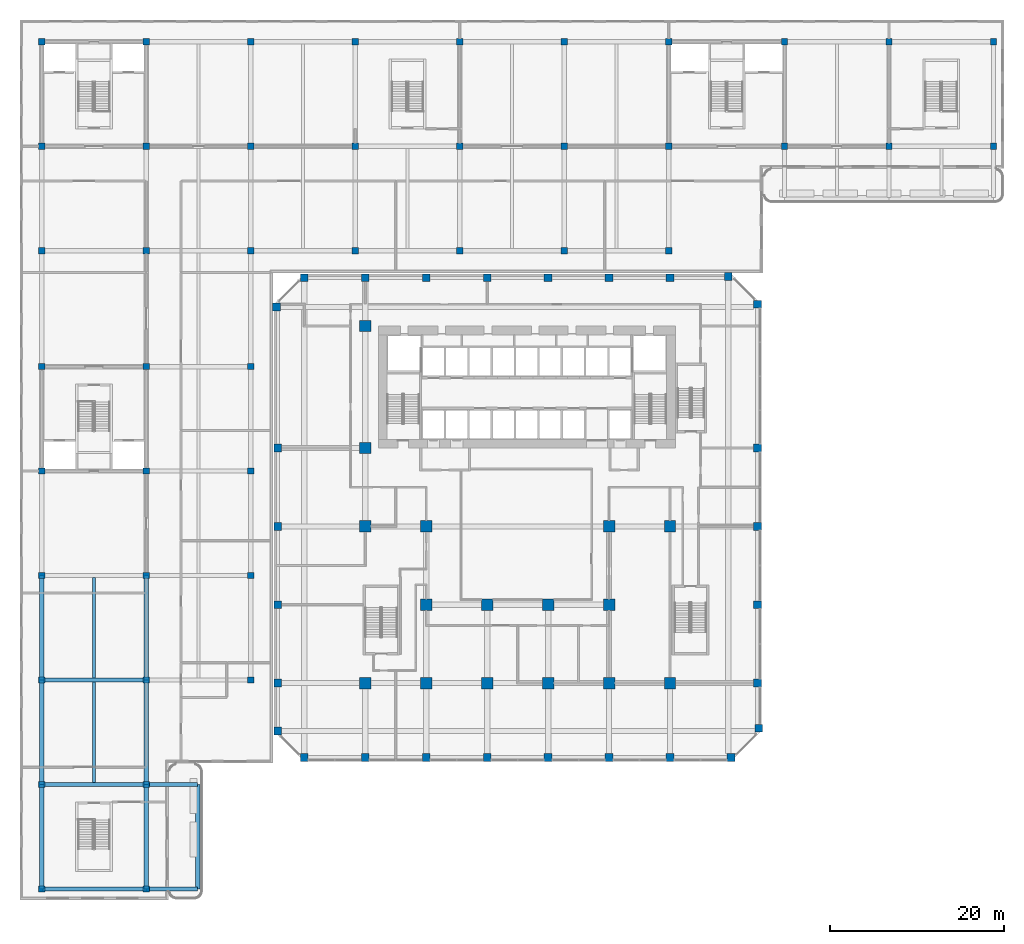
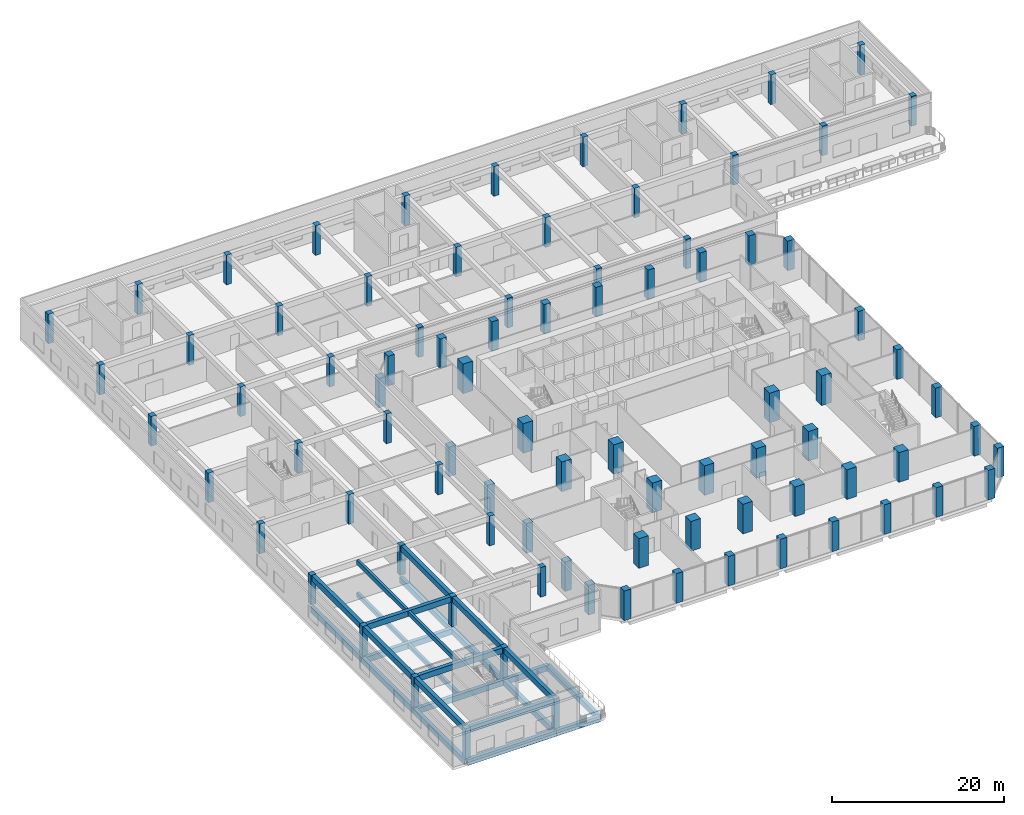
# One storey, part 1 of 35: 87 columns, 25 beams.
"""IFC4 building model written with IfcOpenShell, lengths in metres."""

from ifc_helpers import new_model, si_unit, direction, frame, origin, origin_2d, place, context, subcontext, project, spatial, rectangle, extrude, source, transform, mapped, material, material_profile, profile_set, type_object, element, save


model = new_model("IFC4")

# Units and contexts
model_context = context("Model", 3, precision=1e-05, world=origin(), true_north=direction((0.0, 1.0)))
body_context = subcontext(model_context, "Body", "Model", "MODEL_VIEW")
ifc_project = project(units=[si_unit("LENGTHUNIT", "METRE"), si_unit("AREAUNIT", "SQUARE_METRE"), si_unit("VOLUMEUNIT", "CUBIC_METRE"), si_unit("PLANEANGLEUNIT", "RADIAN"), si_unit("MASSUNIT", "GRAM", prefix="KILO")], contexts=[model_context])

# Site, building, storey
site_placement = place(None, origin())
site = spatial("IfcSite", under=ifc_project, at=site_placement, CompositionType="ELEMENT")
building_placement = place(site_placement, origin())
building = spatial("IfcBuilding", under=site, at=building_placement, Name="Kilnfold Tower and Market Hall", CompositionType="ELEMENT")
storey_placement = place(building_placement, frame((0.0, 0.0, 22.5)))
storey = spatial("IfcBuildingStorey", under=building, at=storey_placement, Name="L04", CompositionType="ELEMENT", Elevation=22.5)

# Columns
ifc_material_1 = material(Name="Concrete C80", Category="concrete")
ifc_material_profile_1 = material_profile(ifc_material_1, rectangle(XDim=0.89990234375, YDim=0.89990234375, at=origin_2d()), Name="RC 900x900")
ifc_profile_set_1 = profile_set([ifc_material_profile_1], Name="Concrete C80")
column_type_1 = type_object("IfcColumnType", Name="COLUMN 900X900 C80", PredefinedType="COLUMN", material=ifc_profile_set_1)
shared_shape_1 = source(origin(), body_context, "Body", "SweptSolid", [
    extrude(rectangle(XDim=0.89990234375, YDim=0.89990234375, at=origin_2d()), origin(), (0.0, 0.0, 1.0), 4.219970703125),
])
for number, where, z_axis, x_axis, name in (
    (1, (-27.681884765625, 24.181884765625, 0.0), (0.0, 0.0, 1.0), (1.0, 0.0, 0.0), "Column C-B1-1H"),
    (2, (-27.550048828125, -24.5, 0.0), (0.0, 0.0, 1.0), (1.0, 0.0, 0.0), "Column C-B1-1B"),
    (3, (-27.550048828125, -19.0, 0.0), (0.0, 0.0, 1.0), (1.0, 0.0, 0.0), "Column C-B1-1C"),
    (4, (-27.550048828125, -10.0, 0.0), (0.0, 0.0, 1.0), (1.0, 0.0, 0.0), "Column C-B1-1D"),
    (5, (-27.550048828125, -1.0, 0.0), (0.0, 0.0, 1.0), (1.0, 0.0, 0.0), "Column C-B1-1E"),
    (6, (-27.550048828125, 8.0, 0.0), (0.0, 0.0, 1.0), (1.0, 0.0, 0.0), "Column C-B1-1F"),
    (7, (-24.5, -27.550048828125, 0.0), (0.0, 0.0, 1.0), (1.0, 0.0, 0.0), "Column C-B1-2A"),
    (8, (-24.5, 27.550048828125, 0.0), (0.0, 0.0, 1.0), (1.0, 0.0, 0.0), "Column C-B1-2I"),
    (9, (-17.5, -27.550048828125, 0.0), (0.0, 0.0, 1.0), (1.0, 0.0, 0.0), "Column C-B1-3A"),
    (10, (-17.5, 27.550048828125, 0.0), (0.0, 0.0, 1.0), (1.0, 0.0, 0.0), "Column C-B1-3I"),
    (11, (-10.5, -27.550048828125, 0.0), (0.0, 0.0, 1.0), (1.0, 0.0, 0.0), "Column C-B1-4A"),
    (12, (-10.5, 27.550048828125, 0.0), (0.0, 0.0, 1.0), (1.0, 0.0, 0.0), "Column C-B1-4I"),
    (13, (-3.5, -27.550048828125, 0.0), (0.0, 0.0, 1.0), (1.0, 0.0, 0.0), "Column C-B1-5A"),
    (14, (-3.5, 27.550048828125, 0.0), (0.0, 0.0, 1.0), (1.0, 0.0, 0.0), "Column C-B1-5I"),
    (15, (3.5, -27.550048828125, 0.0), (0.0, 0.0, 1.0), (1.0, 0.0, 0.0), "Column C-B1-6A"),
    (16, (3.5, 27.550048828125, 0.0), (0.0, 0.0, 1.0), (1.0, 0.0, 0.0), "Column C-B1-6I"),
    (17, (10.5, -27.550048828125, 0.0), (0.0, 0.0, 1.0), (1.0, 0.0, 0.0), "Column C-B1-7A"),
    (18, (10.5, 27.550048828125, 0.0), (0.0, 0.0, 1.0), (1.0, 0.0, 0.0), "Column C-B1-7I"),
    (19, (17.5, -27.550048828125, 0.0), (0.0, 0.0, 1.0), (1.0, 0.0, 0.0), "Column C-B1-8A"),
    (20, (17.5, 27.550048828125, 0.0), (0.0, 0.0, 1.0), (1.0, 0.0, 0.0), "Column C-B1-8I"),
    (21, (24.181884765625, 27.681884765625, 0.0), (0.0, 0.0, 1.0), (1.0, 0.0, 0.0), "Column C-B1-9I"),
    (22, (24.5, -27.550048828125, 0.0), (0.0, 0.0, 1.0), (1.0, 0.0, 0.0), "Column C-B1-9A"),
    (23, (27.550048828125, -19.0, 0.0), (0.0, 0.0, 1.0), (1.0, 0.0, 0.0), "Column C-B1-10C"),
    (24, (27.550048828125, -10.0, 0.0), (0.0, 0.0, 1.0), (1.0, 0.0, 0.0), "Column C-B1-10D"),
    (25, (27.550048828125, -1.0, 0.0), (0.0, 0.0, 1.0), (1.0, 0.0, 0.0), "Column C-B1-10E"),
    (26, (27.550048828125, 8.0, 0.0), (0.0, 0.0, 1.0), (1.0, 0.0, 0.0), "Column C-B1-10F"),
    (27, (27.550048828125, 24.5, 0.0), (0.0, 0.0, 1.0), (1.0, 0.0, 0.0), "Column C-B1-10H"),
    (28, (27.681884765625, -24.181884765625, 0.0), (0.0, 0.0, 1.0), (1.0, 0.0, 0.0), "Column C-B1-10B"),
):
    element("IfcColumn", number, at=place(storey_placement, frame(where, z_axis=z_axis, x_axis=x_axis)), inside=storey, type_object=column_type_1, Name=name, PredefinedType="COLUMN", context=body_context, shape_type="MappedRepresentation", body=[
        mapped(shared_shape_1, transform((0.0, 0.0, 0.0))),
    ])
ifc_material_2 = material(Name="Concrete C80", Category="concrete")
ifc_material_profile_2 = material_profile(ifc_material_2, rectangle(XDim=1.300048828125, YDim=1.300048828125, at=origin_2d()), Name="RC 1300x1300")
ifc_profile_set_2 = profile_set([ifc_material_profile_2], Name="Concrete C80")
column_type_2 = type_object("IfcColumnType", Name="COLUMN 1300X1300 C80", PredefinedType="COLUMN", material=ifc_profile_set_2)
shared_shape_2 = source(origin(), body_context, "Body", "SweptSolid", [
    extrude(rectangle(XDim=1.300048828125, YDim=1.300048828125, at=origin_2d()), origin(), (0.0, 0.0, 1.0), 4.219970703125),
])
for number, where, z_axis, x_axis, name in (
    (29, (-17.5, -19.0, 0.0), (0.0, 0.0, 1.0), (1.0, 0.0, 0.0), "Column C-B1-3C"),
    (30, (-17.5, -1.0, 0.0), (0.0, 0.0, 1.0), (1.0, 0.0, 0.0), "Column C-B1-3E"),
    (31, (-17.5, 8.0, 0.0), (0.0, 0.0, 1.0), (1.0, 0.0, 0.0), "Column C-B1-3F"),
    (32, (-17.5, 22.0, 0.0), (0.0, 0.0, 1.0), (1.0, 0.0, 0.0), "Column C-B1-3G"),
    (33, (-10.5, -19.0, 0.0), (0.0, 0.0, 1.0), (1.0, 0.0, 0.0), "Column C-B1-4C"),
    (34, (-10.5, -10.0, 0.0), (0.0, 0.0, 1.0), (1.0, 0.0, 0.0), "Column C-B1-4D"),
    (35, (-10.5, -1.0, 0.0), (0.0, 0.0, 1.0), (1.0, 0.0, 0.0), "Column C-B1-4E"),
    (36, (-3.5, -19.0, 0.0), (0.0, 0.0, 1.0), (1.0, 0.0, 0.0), "Column C-B1-5C"),
    (37, (-3.5, -10.0, 0.0), (0.0, 0.0, 1.0), (1.0, 0.0, 0.0), "Column C-B1-5D"),
    (38, (3.5, -19.0, 0.0), (0.0, 0.0, 1.0), (1.0, 0.0, 0.0), "Column C-B1-6C"),
    (39, (3.5, -10.0, 0.0), (0.0, 0.0, 1.0), (1.0, 0.0, 0.0), "Column C-B1-6D"),
    (40, (10.5, -19.0, 0.0), (0.0, 0.0, 1.0), (1.0, 0.0, 0.0), "Column C-B1-7C"),
    (41, (10.5, -10.0, 0.0), (0.0, 0.0, 1.0), (1.0, 0.0, 0.0), "Column C-B1-7D"),
    (42, (10.5, -1.0, 0.0), (0.0, 0.0, 1.0), (1.0, 0.0, 0.0), "Column C-B1-7E"),
    (43, (17.5, -19.0, 0.0), (0.0, 0.0, 1.0), (1.0, 0.0, 0.0), "Column C-B1-8C"),
    (44, (17.5, -1.0, 0.0), (0.0, 0.0, 1.0), (1.0, 0.0, 0.0), "Column C-B1-8E"),
):
    element("IfcColumn", number, at=place(storey_placement, frame(where, z_axis=z_axis, x_axis=x_axis)), inside=storey, type_object=column_type_2, Name=name, PredefinedType="COLUMN", context=body_context, shape_type="MappedRepresentation", body=[
        mapped(shared_shape_2, transform((0.0, 0.0, 0.0))),
    ])
ifc_material_3 = material(Name="Concrete C45/55", Category="concrete")
ifc_material_profile_3 = material_profile(ifc_material_3, rectangle(XDim=0.699951171875, YDim=0.699951171875, at=origin_2d()), Name="RC 700x700")
ifc_profile_set_3 = profile_set([ifc_material_profile_3], Name="Concrete C45/55")
column_type_3 = type_object("IfcColumnType", Name="HALL COL 700", PredefinedType="COLUMN", material=ifc_profile_set_3)
shared_shape_3 = source(origin(), body_context, "Body", "SweptSolid", [
    extrude(rectangle(XDim=0.699951171875, YDim=0.699951171875, at=origin_2d()), origin(), (0.0, 0.0, 1.0), 4.219970703125),
])
for number, where, z_axis, x_axis, name in (
    (45, (-54.64990234375, -42.64990234375, 0.0), (0.0, 0.0, 1.0), (1.0, 0.0, 0.0), "Column MC-1A"),
    (46, (-54.64990234375, -30.64990234375, 0.0), (0.0, 0.0, 1.0), (1.0, 0.0, 0.0), "Column MC-1B"),
    (47, (-54.64990234375, -18.64990234375, 0.0), (0.0, 0.0, 1.0), (1.0, 0.0, 0.0), "Column MC-1C"),
    (48, (-54.64990234375, -6.64990234375, 0.0), (0.0, 0.0, 1.0), (1.0, 0.0, 0.0), "Column MC-1D"),
    (49, (-54.64990234375, 5.35009765625, 0.0), (0.0, 0.0, 1.0), (1.0, 0.0, 0.0), "Column MC-1E"),
    (50, (-54.64990234375, 17.35009765625, 0.0), (0.0, 0.0, 1.0), (1.0, 0.0, 0.0), "Column MC-1F"),
    (51, (-54.64990234375, 30.64990234375, 0.0), (0.0, 0.0, 1.0), (1.0, 0.0, 0.0), "Column MC-1G"),
    (52, (-54.64990234375, 42.64990234375, 0.0), (0.0, 0.0, 1.0), (1.0, 0.0, 0.0), "Column MC-1H"),
    (53, (-54.64990234375, 54.64990234375, 0.0), (0.0, 0.0, 1.0), (1.0, 0.0, 0.0), "Column MC-1I"),
    (54, (-42.64990234375, -42.64990234375, 0.0), (0.0, 0.0, 1.0), (1.0, 0.0, 0.0), "Column MC-2A"),
    (55, (-42.64990234375, -30.64990234375, 0.0), (0.0, 0.0, 1.0), (1.0, 0.0, 0.0), "Column MC-2B"),
    (56, (-42.64990234375, -18.64990234375, 0.0), (0.0, 0.0, 1.0), (1.0, 0.0, 0.0), "Column MC-2C"),
    (57, (-42.64990234375, -6.64990234375, 0.0), (0.0, 0.0, 1.0), (1.0, 0.0, 0.0), "Column MC-2D"),
    (58, (-42.64990234375, 5.35009765625, 0.0), (0.0, 0.0, 1.0), (1.0, 0.0, 0.0), "Column MC-2E"),
    (59, (-42.64990234375, 17.35009765625, 0.0), (0.0, 0.0, 1.0), (1.0, 0.0, 0.0), "Column MC-2F"),
    (60, (-42.64990234375, 30.64990234375, 0.0), (0.0, 0.0, 1.0), (1.0, 0.0, 0.0), "Column MC-2G"),
    (61, (-42.64990234375, 42.64990234375, 0.0), (0.0, 0.0, 1.0), (1.0, 0.0, 0.0), "Column MC-2H"),
    (62, (-42.64990234375, 54.64990234375, 0.0), (0.0, 0.0, 1.0), (1.0, 0.0, 0.0), "Column MC-2I"),
    (63, (-30.64990234375, -18.64990234375, 0.0), (0.0, 0.0, 1.0), (1.0, 0.0, 0.0), "Column MC-3C"),
    (64, (-30.64990234375, -6.64990234375, 0.0), (0.0, 0.0, 1.0), (1.0, 0.0, 0.0), "Column MC-3D"),
    (65, (-30.64990234375, 5.35009765625, 0.0), (0.0, 0.0, 1.0), (1.0, 0.0, 0.0), "Column MC-3E"),
    (66, (-30.64990234375, 17.35009765625, 0.0), (0.0, 0.0, 1.0), (1.0, 0.0, 0.0), "Column MC-3F"),
    (67, (-30.64990234375, 30.64990234375, 0.0), (0.0, 0.0, 1.0), (1.0, 0.0, 0.0), "Column MC-3G"),
    (68, (-30.64990234375, 42.64990234375, 0.0), (0.0, 0.0, 1.0), (1.0, 0.0, 0.0), "Column MC-3H"),
    (69, (-30.64990234375, 54.64990234375, 0.0), (0.0, 0.0, 1.0), (1.0, 0.0, 0.0), "Column MC-3I"),
    (70, (-18.64990234375, 30.64990234375, 0.0), (0.0, 0.0, 1.0), (1.0, 0.0, 0.0), "Column MC-4G"),
    (71, (-18.64990234375, 42.64990234375, 0.0), (0.0, 0.0, 1.0), (1.0, 0.0, 0.0), "Column MC-4H"),
    (72, (-18.64990234375, 54.64990234375, 0.0), (0.0, 0.0, 1.0), (1.0, 0.0, 0.0), "Column MC-4I"),
    (73, (-6.64990234375, 30.64990234375, 0.0), (0.0, 0.0, 1.0), (1.0, 0.0, 0.0), "Column MC-5G"),
    (74, (-6.64990234375, 42.64990234375, 0.0), (0.0, 0.0, 1.0), (1.0, 0.0, 0.0), "Column MC-5H"),
    (75, (-6.64990234375, 54.64990234375, 0.0), (0.0, 0.0, 1.0), (1.0, 0.0, 0.0), "Column MC-5I"),
    (76, (5.35009765625, 30.64990234375, 0.0), (0.0, 0.0, 1.0), (1.0, 0.0, 0.0), "Column MC-6G"),
    (77, (5.35009765625, 42.64990234375, 0.0), (0.0, 0.0, 1.0), (1.0, 0.0, 0.0), "Column MC-6H"),
    (78, (5.35009765625, 54.64990234375, 0.0), (0.0, 0.0, 1.0), (1.0, 0.0, 0.0), "Column MC-6I"),
    (79, (17.35009765625, 30.64990234375, 0.0), (0.0, 0.0, 1.0), (1.0, 0.0, 0.0), "Column MC-7G"),
    (80, (17.35009765625, 42.64990234375, 0.0), (0.0, 0.0, 1.0), (1.0, 0.0, 0.0), "Column MC-7H"),
    (81, (17.35009765625, 54.64990234375, 0.0), (0.0, 0.0, 1.0), (1.0, 0.0, 0.0), "Column MC-7I"),
    (82, (30.64990234375, 42.64990234375, 0.0), (0.0, 0.0, 1.0), (1.0, 0.0, 0.0), "Column MC-8H"),
    (83, (30.64990234375, 54.64990234375, 0.0), (0.0, 0.0, 1.0), (1.0, 0.0, 0.0), "Column MC-8I"),
    (84, (42.64990234375, 42.64990234375, 0.0), (0.0, 0.0, 1.0), (1.0, 0.0, 0.0), "Column MC-9H"),
    (85, (42.64990234375, 54.64990234375, 0.0), (0.0, 0.0, 1.0), (1.0, 0.0, 0.0), "Column MC-9I"),
    (86, (54.64990234375, 42.64990234375, 0.0), (0.0, 0.0, 1.0), (1.0, 0.0, 0.0), "Column MC-10H"),
    (87, (54.64990234375, 54.64990234375, 0.0), (0.0, 0.0, 1.0), (1.0, 0.0, 0.0), "Column MC-10I"),
):
    element("IfcColumn", number, at=place(storey_placement, frame(where, z_axis=z_axis, x_axis=x_axis)), inside=storey, type_object=column_type_3, Name=name, PredefinedType="COLUMN", context=body_context, shape_type="MappedRepresentation", body=[
        mapped(shared_shape_3, transform((0.0, 0.0, 0.0))),
    ])

# Beams
ifc_material_4 = material(Name="Concrete C40/50", Category="concrete")
ifc_material_profile_4 = material_profile(ifc_material_4, rectangle(XDim=0.5, YDim=0.800048828125, at=origin_2d()), Name="RC 500x800")
ifc_profile_set_4 = profile_set([ifc_material_profile_4], Name="Concrete C40/50")
beam_type_1 = type_object("IfcBeamType", Name="HALL GIRDER 500X800", PredefinedType="BEAM", material=ifc_profile_set_4)
for number, where, z_axis, x_axis, name in (
    (88, (-54.64990234375, -42.64990234375, -0.800048828125), (0.0, 1.0, 0.0), (-1.0, 0.0, 0.0), "Beam MG2.1"),
    (89, (-54.64990234375, -42.64990234375, -0.800048828125), (1.0, 0.0, 0.0), (0.0, 1.0, 0.0), "Beam MG2.2"),
    (90, (-54.64990234375, -30.64990234375, -0.800048828125), (0.0, 1.0, 0.0), (-1.0, 0.0, 0.0), "Beam MG2.3"),
    (91, (-54.64990234375, -30.64990234375, -0.800048828125), (1.0, 0.0, 0.0), (0.0, 1.0, 0.0), "Beam MG2.4"),
    (92, (-54.64990234375, -18.64990234375, -0.800048828125), (0.0, 1.0, 0.0), (-1.0, 0.0, 0.0), "Beam MG2.5"),
    (93, (-54.64990234375, -18.64990234375, -0.800048828125), (1.0, 0.0, 0.0), (0.0, 1.0, 0.0), "Beam MG2.6"),
    (94, (-42.64990234375, -42.64990234375, -0.800048828125), (0.0, 1.0, 0.0), (-1.0, 0.0, 0.0), "Beam MG2.18"),
):
    element("IfcBeam", number, at=place(storey_placement, frame(where, z_axis=z_axis, x_axis=x_axis)), inside=storey, type_object=beam_type_1, Name=name, PredefinedType="BEAM", context=body_context, shape_type="SweptSolid", body=[
        extrude(rectangle(XDim=0.5, YDim=0.800048828125, at=origin_2d()), origin(), (0.0, 0.0, 1.0), 12.0),
    ])
beam_1_placement = place(storey_placement, frame((-42.64990234375, -42.64990234375, -0.800048828125), z_axis=(1.0, 0.0, 0.0), x_axis=(0.0, 1.0, 0.0)))
element("IfcBeam", 95, at=beam_1_placement, inside=storey, type_object=beam_type_1, Name="Beam MG2.19", PredefinedType="BEAM", context=body_context, shape_type="SweptSolid", body=[
    extrude(rectangle(XDim=0.5, YDim=0.800048828125, at=origin_2d()), origin(), (0.0, 0.0, 1.0), 5.89990234375),
])
beam_2_placement = place(storey_placement, frame((-42.64990234375, -30.64990234375, -0.800048828125), z_axis=(0.0, 1.0, 0.0), x_axis=(-1.0, 0.0, 0.0)))
element("IfcBeam", 96, at=beam_2_placement, inside=storey, type_object=beam_type_1, Name="Beam MG2.20", PredefinedType="BEAM", context=body_context, shape_type="SweptSolid", body=[
    extrude(rectangle(XDim=0.5, YDim=0.800048828125, at=origin_2d()), origin(), (0.0, 0.0, 1.0), 12.0),
])
beam_3_placement = place(storey_placement, frame((-42.64990234375, -30.64990234375, -0.800048828125), z_axis=(1.0, 0.0, 0.0), x_axis=(0.0, 1.0, 0.0)))
element("IfcBeam", 97, at=beam_3_placement, inside=storey, type_object=beam_type_1, Name="Beam MG2.21", PredefinedType="BEAM", context=body_context, shape_type="SweptSolid", body=[
    extrude(rectangle(XDim=0.5, YDim=0.800048828125, at=origin_2d()), origin(), (0.0, 0.0, 1.0), 5.89990234375),
])
for number, where, z_axis, x_axis, name in (
    (98, (-42.64990234375, -18.64990234375, -0.800048828125), (0.0, 1.0, 0.0), (-1.0, 0.0, 0.0), "Beam MG2.22"),
    (99, (-36.75, -42.64990234375, -0.800048828125), (0.0, 1.0, 0.0), (-1.0, 0.0, 0.0), "Beam MG2.35"),
    (100, (-54.64990234375, -42.64990234375, 3.820068359375), (0.0, 1.0, 0.0), (-1.0, 0.0, 0.0), "Roof beam MG2.R1"),
    (101, (-54.64990234375, -42.64990234375, 3.820068359375), (1.0, 0.0, 0.0), (0.0, 1.0, 0.0), "Roof beam MG2.R2"),
    (102, (-54.64990234375, -30.64990234375, 3.820068359375), (0.0, 1.0, 0.0), (-1.0, 0.0, 0.0), "Roof beam MG2.R3"),
    (103, (-54.64990234375, -30.64990234375, 3.820068359375), (1.0, 0.0, 0.0), (0.0, 1.0, 0.0), "Roof beam MG2.R4"),
    (104, (-54.64990234375, -18.64990234375, 3.820068359375), (0.0, 1.0, 0.0), (-1.0, 0.0, 0.0), "Roof beam MG2.R5"),
    (105, (-54.64990234375, -18.64990234375, 3.820068359375), (1.0, 0.0, 0.0), (0.0, 1.0, 0.0), "Roof beam MG2.R6"),
    (106, (-42.64990234375, -42.64990234375, 3.820068359375), (0.0, 1.0, 0.0), (-1.0, 0.0, 0.0), "Roof beam MG2.R18"),
    (107, (-42.64990234375, -30.64990234375, 3.820068359375), (0.0, 1.0, 0.0), (-1.0, 0.0, 0.0), "Roof beam MG2.R19"),
    (108, (-42.64990234375, -18.64990234375, 3.820068359375), (0.0, 1.0, 0.0), (-1.0, 0.0, 0.0), "Roof beam MG2.R20"),
):
    element("IfcBeam", number, at=place(storey_placement, frame(where, z_axis=z_axis, x_axis=x_axis)), inside=storey, type_object=beam_type_1, Name=name, PredefinedType="BEAM", context=body_context, shape_type="SweptSolid", body=[
        extrude(rectangle(XDim=0.5, YDim=0.800048828125, at=origin_2d()), origin(), (0.0, 0.0, 1.0), 12.0),
    ])
ifc_material_5 = material(Name="Concrete C40/50", Category="concrete")
ifc_material_profile_5 = material_profile(ifc_material_5, rectangle(XDim=0.35009765625, YDim=0.60009765625, at=origin_2d()), Name="RC 350x600")
ifc_profile_set_5 = profile_set([ifc_material_profile_5], Name="Concrete C40/50")
beam_type_2 = type_object("IfcBeamType", Name="HALL JOIST 350X600", PredefinedType="BEAM", material=ifc_profile_set_5)
for number, where, z_axis, x_axis, name in (
    (109, (-48.64990234375, -30.39990234375, -0.699951171875), (0.0, 1.0, 0.0), (-1.0, 0.0, 0.0), "Beam MJ1.1"),
    (110, (-48.64990234375, -18.39990234375, -0.699951171875), (0.0, 1.0, 0.0), (-1.0, 0.0, 0.0), "Beam MJ1.2"),
    (111, (-48.64990234375, -30.39990234375, 3.919921875), (0.0, 1.0, 0.0), (-1.0, 0.0, 0.0), "Roof beam MJ1.R1"),
    (112, (-48.64990234375, -18.39990234375, 3.919921875), (0.0, 1.0, 0.0), (-1.0, 0.0, 0.0), "Roof beam MJ1.R2"),
):
    element("IfcBeam", number, at=place(storey_placement, frame(where, z_axis=z_axis, x_axis=x_axis)), inside=storey, type_object=beam_type_2, Name=name, PredefinedType="BEAM", context=body_context, shape_type="SweptSolid", body=[
        extrude(rectangle(XDim=0.35009765625, YDim=0.60009765625, at=origin_2d()), origin(), (0.0, 0.0, 1.0), 11.5),
    ])

save(model, "model.ifc")
